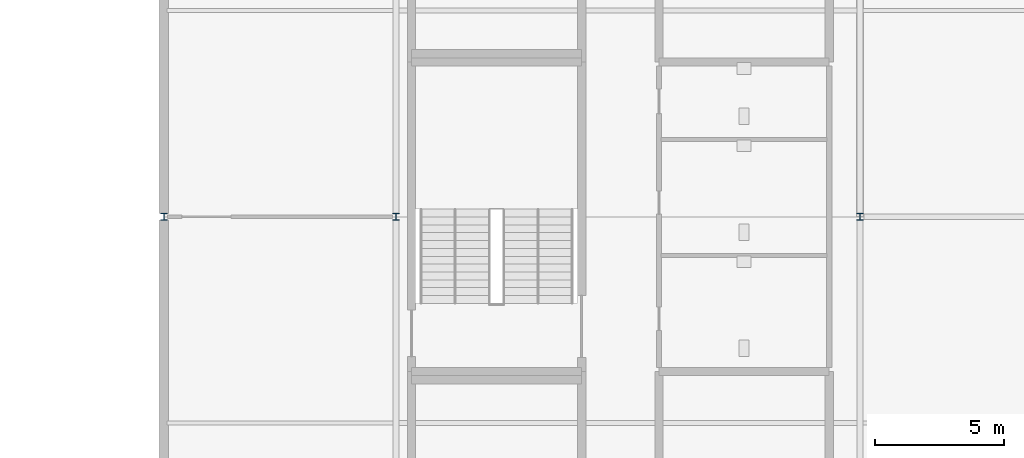
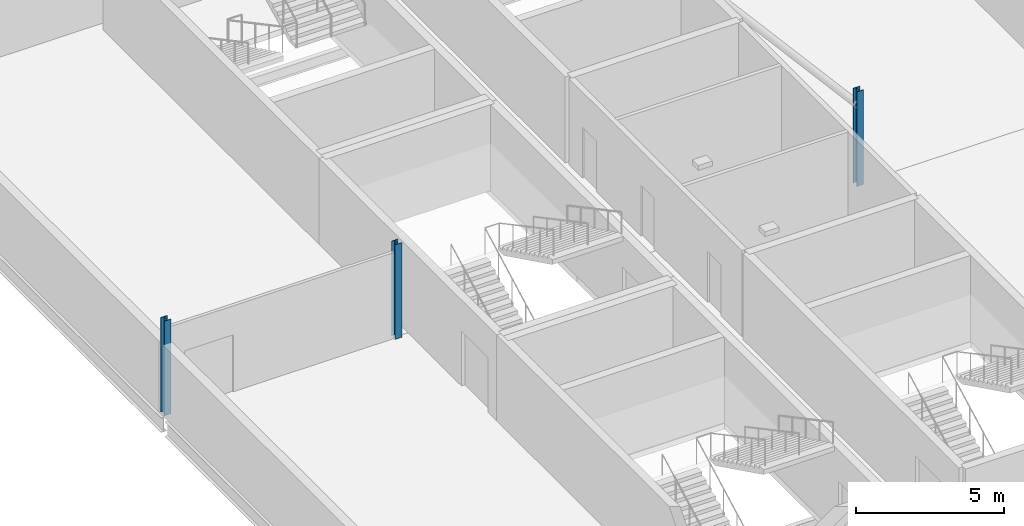
# One storey, part 7 of 30: 3 columns.
"""IFC4 building model written with IfcOpenShell, lengths in metres."""

from ifc_helpers import new_model, si_unit, direction, frame, origin, origin_2d, place, context, subcontext, project, spatial, i_section, extrude, material, material_profile, profile_set, type_object, element, save


model = new_model("IFC4")

# Units and contexts
model_context = context("Model", 3, precision=1e-05, world=origin(), true_north=direction((0.0, 1.0)))
body_context = subcontext(model_context, "Body", "Model", "MODEL_VIEW")
ifc_project = project(units=[si_unit("LENGTHUNIT", "METRE"), si_unit("AREAUNIT", "SQUARE_METRE"), si_unit("VOLUMEUNIT", "CUBIC_METRE"), si_unit("PLANEANGLEUNIT", "RADIAN"), si_unit("MASSUNIT", "GRAM", prefix="KILO")], contexts=[model_context])

# Site, building, storey
site_placement = place(None, origin())
site = spatial("IfcSite", under=ifc_project, at=site_placement, CompositionType="ELEMENT")
building_placement = place(site_placement, origin())
building = spatial("IfcBuilding", under=site, at=building_placement, Name="Kisiwana Market Hall", CompositionType="ELEMENT")
storey_placement = place(building_placement, frame((0.0, 0.0, 54.0)))
storey = spatial("IfcBuildingStorey", under=building, at=storey_placement, Name="L12", CompositionType="ELEMENT", Elevation=54.0)

# Columns
ifc_material = material(Name="Steel S355", Category="steel")
ifc_material_profile = material_profile(ifc_material, i_section(OverallWidth=0.25634765625, OverallDepth=0.26025390625, WebThickness=0.01025390625, FlangeThickness=0.017333984375, FilletRadius=0.0126953125, at=origin_2d()), Name="UC 254x254x89")
ifc_profile_set = profile_set([ifc_material_profile], Name="Steel S355")
column_type = type_object("IfcColumnType", Name="COL-STL-UC089", PredefinedType="COLUMN", material=ifc_profile_set)
for number, where, z_axis, x_axis, name in (
    (1, (171.0, 60.0, 0.0), (0.0, 0.0, 1.0), (1.0, 0.0, 0.0), "Column H/20 (L12) C-1386"),
    (2, (162.0, 60.0, 0.0), (0.0, 0.0, 1.0), (1.0, 0.0, 0.0), "Column H/19 (L12) C-1360"),
    (3, (189.0, 60.0, 0.0), (0.0, 0.0, 1.0), (1.0, 0.0, 0.0), "Column H/22 (L12) C-1361"),
):
    element("IfcColumn", number, at=place(storey_placement, frame(where, z_axis=z_axis, x_axis=x_axis)), inside=storey, type_object=column_type, Name=name, PredefinedType="COLUMN", context=body_context, shape_type="SweptSolid", body=[
        extrude(i_section(OverallWidth=0.25634765625, OverallDepth=0.26025390625, WebThickness=0.01025390625, FlangeThickness=0.017333984375, FilletRadius=0.0126953125, at=origin_2d()), origin(), (0.0, 0.0, 1.0), 3.89990234375),
    ])

save(model, "model.ifc")
